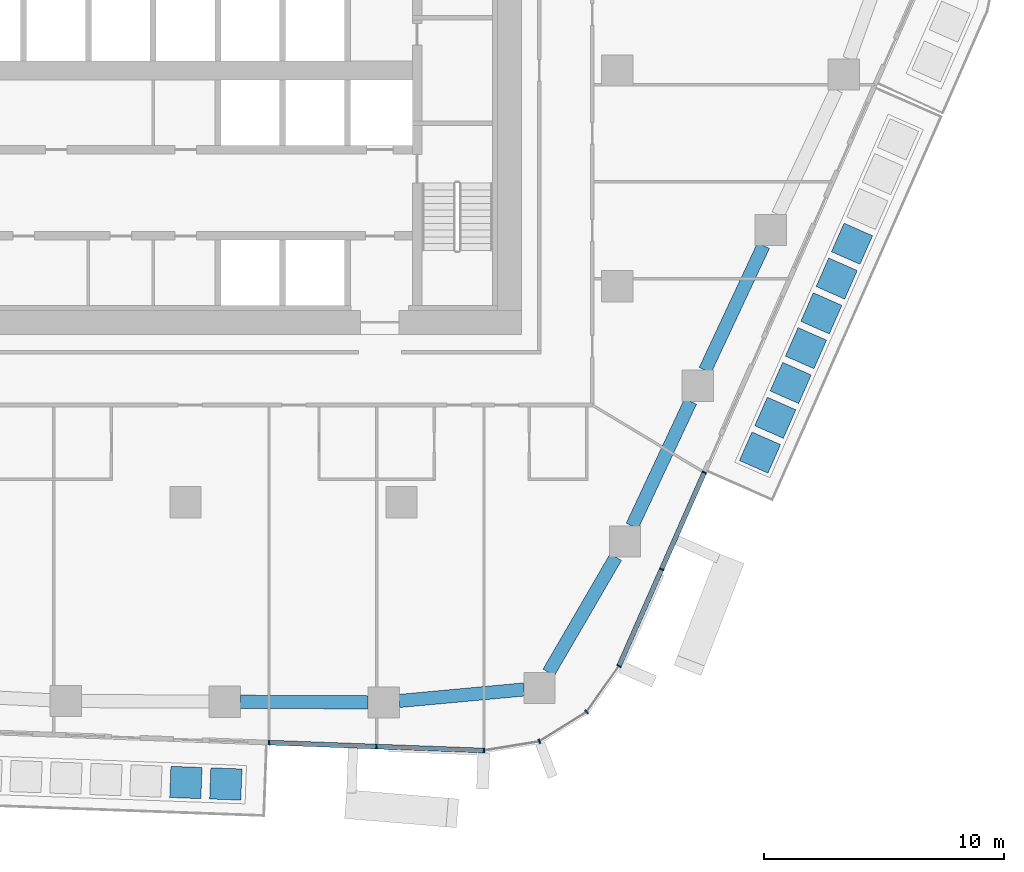
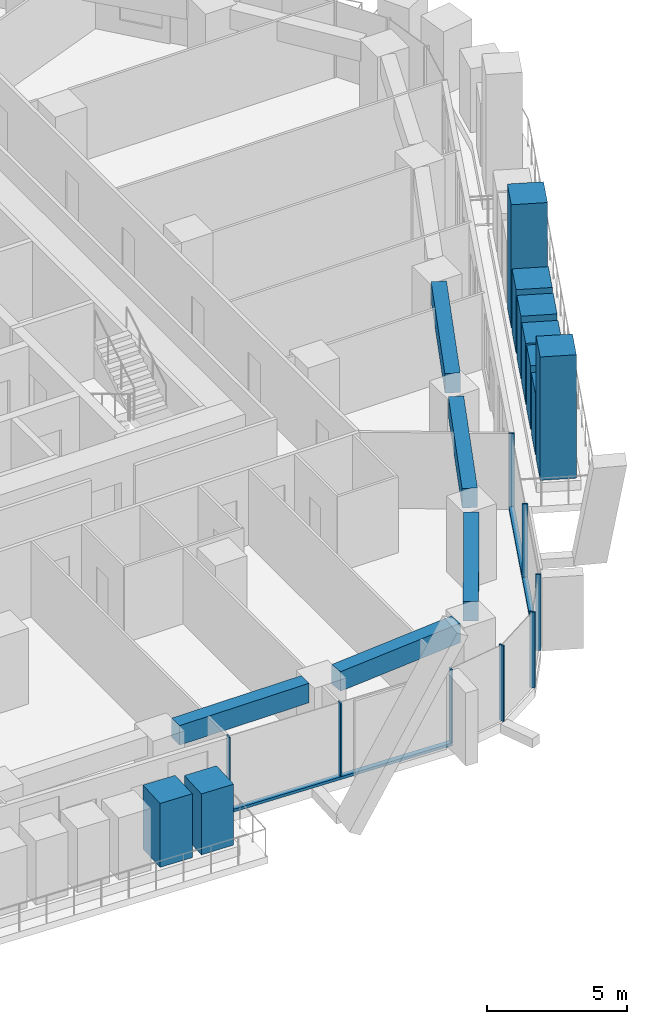
# One storey, part 4 of 24: 19 members, 5 beams, 3 elements without a shape of their own.
"""IFC4 building model written with IfcOpenShell, lengths in metres."""

from ifc_helpers import new_model, si_unit, direction, frame, origin, origin_2d, place, context, subcontext, project, spatial, rectangle, extrude, material, layer, layer_set, material_profile, profile_set, type_object, element, aggregate, save


model = new_model("IFC4")

# Units and contexts
model_context = context("Model", 3, precision=1e-05, world=origin(), true_north=direction((0.0, 1.0)))
body_context = subcontext(model_context, "Body", "Model", "MODEL_VIEW")
ifc_project = project(units=[si_unit("LENGTHUNIT", "METRE"), si_unit("AREAUNIT", "SQUARE_METRE"), si_unit("VOLUMEUNIT", "CUBIC_METRE"), si_unit("PLANEANGLEUNIT", "RADIAN"), si_unit("MASSUNIT", "GRAM", prefix="KILO")], contexts=[model_context])

# Site, building, storey
site_placement = place(None, origin())
site = spatial("IfcSite", under=ifc_project, at=site_placement, CompositionType="ELEMENT")
building_placement = place(site_placement, origin())
building = spatial("IfcBuilding", under=site, at=building_placement, Name="Dongbaek Canopy Tower", CompositionType="ELEMENT")
storey_placement = place(building_placement, frame((0.0, 0.0, 113.699951171875)))
storey = spatial("IfcBuildingStorey", under=building, at=storey_placement, Name="L24", CompositionType="ELEMENT", Elevation=113.699951171875)

# Curtain wall, members
ifc_material_1 = material(Name="Aluminium 6063-T6 pale anodised", Category="aluminium")
ifc_layer = layer(ifc_material_1, 0.199951171875)
ifc_layer_set = layer_set([ifc_layer], Name="CW-1 unitised tower curtain wall")
curtain_wall_type = type_object("IfcCurtainWallType", Name="CW-1 unitised tower curtain wall", PredefinedType="NOTDEFINED", material=ifc_layer_set)
curtain_wall_1_placement = place(storey_placement, origin())
curtain_wall_1 = element("IfcCurtainWall", 1, at=curtain_wall_1_placement, inside=storey, type_object=curtain_wall_type, Name="CW-1 curtain wall F4.1", PredefinedType="NOTDEFINED")
ifc_material_2 = material(Name="Aluminium 6063-T6 pale anodised", Category="aluminium")
ifc_material_profile_1 = material_profile(ifc_material_2, rectangle(XDim=0.199951171875, YDim=0.06005859375, at=origin_2d()), Name="CW-1 mullion 60 x 200")
ifc_profile_set_1 = profile_set([ifc_material_profile_1], Name="Aluminium 6063-T6 pale anodised")
member_type_1 = type_object("IfcMemberType", Name="CW-1 mullion 60 x 200", PredefinedType="MULLION", material=ifc_profile_set_1)
member_1_placement = place(storey_placement, frame((3.475830078125, -28.024169921875, 0.1201171875), z_axis=(0.0, 0.0, 1.0), x_axis=(-0.036872652499, -0.99931997253, 0.0)))
member_1 = element("IfcMember", 2, at=member_1_placement, type_object=member_type_1, Name="CW-1 mullion F4.1.1", PredefinedType="MULLION", context=body_context, shape_type="SweptSolid", body=[
    extrude(rectangle(XDim=0.199951171875, YDim=0.06005859375, at=origin_2d()), origin(), (0.0, 0.0, 1.0), 3.179931640625),
])
member_2_placement = place(storey_placement, frame((7.962646484375, -28.189697265625, 0.1201171875), z_axis=(0.0, 0.0, 1.0), x_axis=(-0.036872652499, -0.99931997253, 0.0)))
member_2 = element("IfcMember", 3, at=member_2_placement, type_object=member_type_1, Name="CW-1 mullion F4.1.2", PredefinedType="MULLION", context=body_context, shape_type="SweptSolid", body=[
    extrude(rectangle(XDim=0.199951171875, YDim=0.06005859375, at=origin_2d()), origin(), (0.0, 0.0, 1.0), 3.179931640625),
])
member_3_placement = place(storey_placement, frame((12.439453125, -28.354736328125, 0.1201171875), z_axis=(0.0, 0.0, 1.0), x_axis=(-0.036872652499, -0.99931997253, 0.0)))
member_3 = element("IfcMember", 4, at=member_3_placement, type_object=member_type_1, Name="CW-1 mullion F4.1.3", PredefinedType="MULLION", context=body_context, shape_type="SweptSolid", body=[
    extrude(rectangle(XDim=0.199951171875, YDim=0.06005859375, at=origin_2d()), origin(), (0.0, 0.0, 1.0), 3.179931640625),
])

curtain_wall_2_placement = place(storey_placement, origin())
curtain_wall_2 = element("IfcCurtainWall", 5, at=curtain_wall_2_placement, inside=storey, type_object=curtain_wall_type, Name="CW-1 curtain wall K5.1", PredefinedType="NOTDEFINED")
member_4_placement = place(storey_placement, frame((14.748291015625, -27.977783203125, 0.0), z_axis=(0.0, 0.0, 1.0), x_axis=(0.352875095739, -0.93567043707, 0.0)))
member_4 = element("IfcMember", 6, at=member_4_placement, type_object=member_type_1, Name="CW-1 mullion K5.1.2", PredefinedType="MULLION", context=body_context, shape_type="SweptSolid", body=[
    extrude(rectangle(XDim=0.199951171875, YDim=0.06005859375, at=origin_2d()), origin(), (0.0, 0.0, 1.0), 3.300048828125),
])
member_5_placement = place(storey_placement, frame((16.722412109375, -26.74169921875, 0.0), z_axis=(0.0, 0.0, 1.0), x_axis=(0.687590359938, -0.726098820355, 0.0)))
member_5 = element("IfcMember", 7, at=member_5_placement, type_object=member_type_1, Name="CW-1 mullion K5.1.3", PredefinedType="MULLION", context=body_context, shape_type="SweptSolid", body=[
    extrude(rectangle(XDim=0.199951171875, YDim=0.06005859375, at=origin_2d()), origin(), (0.0, 0.0, 1.0), 3.300048828125),
])
member_6_placement = place(storey_placement, frame((18.070068359375, -24.829345703125, 0.0), z_axis=(0.0, 0.0, 1.0), x_axis=(0.817425136867, -0.576034847572, 0.0)))
member_6 = element("IfcMember", 8, at=member_6_placement, type_object=member_type_1, Name="CW-1 mullion K5.1.4", PredefinedType="MULLION", context=body_context, shape_type="SweptSolid", body=[
    extrude(rectangle(XDim=0.199951171875, YDim=0.06005859375, at=origin_2d()), origin(), (0.0, 0.0, 1.0), 3.300048828125),
])
aggregate(curtain_wall_2, [member_4, member_5, member_6])

curtain_wall_3_placement = place(storey_placement, origin())
curtain_wall_3 = element("IfcCurtainWall", 9, at=curtain_wall_3_placement, inside=storey, type_object=curtain_wall_type, Name="CW-1 curtain wall F5.1", PredefinedType="NOTDEFINED")
member_7_placement = place(storey_placement, frame((19.84619140625, -20.799072265625, 0.1201171875), z_axis=(0.0, 0.0, 1.0), x_axis=(0.915072764797, -0.403288773867, 0.0)))
member_7 = element("IfcMember", 10, at=member_7_placement, type_object=member_type_1, Name="CW-1 mullion F5.1.2", PredefinedType="MULLION", context=body_context, shape_type="SweptSolid", body=[
    extrude(rectangle(XDim=0.199951171875, YDim=0.06005859375, at=origin_2d()), origin(), (0.0, 0.0, 1.0), 3.179931640625),
])
member_8_placement = place(storey_placement, frame((21.62646484375, -16.759765625, 0.1201171875), z_axis=(0.0, 0.0, 1.0), x_axis=(0.915072764797, -0.403288773867, 0.0)))
member_8 = element("IfcMember", 11, at=member_8_placement, type_object=member_type_1, Name="CW-1 mullion F5.1.3", PredefinedType="MULLION", context=body_context, shape_type="SweptSolid", body=[
    extrude(rectangle(XDim=0.199951171875, YDim=0.06005859375, at=origin_2d()), origin(), (0.0, 0.0, 1.0), 3.179931640625),
])

# Member
ifc_material_3 = material(Name="Aluminium 6063-T6 pale anodised", Category="aluminium")
ifc_material_profile_2 = material_profile(ifc_material_3, rectangle(XDim=0.199951171875, YDim=0.1201171875, at=origin_2d()), Name="CW-1 transom 120 x 200")
ifc_profile_set_2 = profile_set([ifc_material_profile_2], Name="Aluminium 6063-T6 pale anodised")
member_type_2 = type_object("IfcMemberType", Name="CW-1 transom 120 x 200", PredefinedType="USERDEFINED", material=ifc_profile_set_2)
member_9_placement = place(storey_placement, frame((3.475830078125, -28.024169921875, 0.06005859375), z_axis=(0.999320675071, -0.036853607355, 0.0), x_axis=(0.036853607355, 0.999320675071, 0.0)))
member_9 = element("IfcMember", 12, at=member_9_placement, type_object=member_type_2, Name="CW-1 transom F4.1.1", ObjectType="TRANSOM", PredefinedType="USERDEFINED", context=body_context, shape_type="SweptSolid", body=[
    extrude(rectangle(XDim=0.199951171875, YDim=0.1201171875, at=origin_2d()), origin(), (0.0, 0.0, 1.0), 8.9697265625),
])

aggregate(curtain_wall_1, [member_1, member_2, member_3, member_9])

member_10_placement = place(storey_placement, frame((18.070068359375, -24.829345703125, 0.06005859375), z_axis=(0.403287788943, 0.91507319887, 0.0), x_axis=(-0.91507319887, 0.403287788943, 0.0)))
member_10 = element("IfcMember", 13, at=member_10_placement, type_object=member_type_2, Name="CW-1 transom F5.1.1", ObjectType="TRANSOM", PredefinedType="USERDEFINED", context=body_context, shape_type="SweptSolid", body=[
    extrude(rectangle(XDim=0.199951171875, YDim=0.1201171875, at=origin_2d()), origin(), (0.0, 0.0, 1.0), 8.818603515625),
])

aggregate(curtain_wall_3, [member_7, member_8, member_10])

# Beams
ifc_material_4 = material(Name="Concrete C80", Category="concrete")
ifc_material_profile_3 = material_profile(ifc_material_4, rectangle(XDim=0.550048828125, YDim=0.85009765625, at=origin_2d()), Name="RC EDGE BEAM 550x850 C80")
ifc_profile_set_3 = profile_set([ifc_material_profile_3], Name="Concrete C80")
beam_type = type_object("IfcBeamType", Name="RC EDGE BEAM 550x850 C80", PredefinedType="BEAM", material=ifc_profile_set_3)
beam_1_placement = place(storey_placement, frame((14.110107421875, -25.80908203125, 2.875), z_axis=(-0.995770494827, -0.091875576911, 0.0), x_axis=(0.091875576911, -0.995770494827, 0.0)))
element("IfcBeam", 14, at=beam_1_placement, inside=storey, type_object=beam_type, Name="EDGEBEAM:L24:00", PredefinedType="BEAM", context=body_context, shape_type="SweptSolid", body=[
    extrude(rectangle(XDim=0.550048828125, YDim=0.85009765625, at=origin_2d()), origin(), (0.0, 0.0, 1.0), 5.224365234375),
])
beam_2_placement = place(storey_placement, frame((7.60791015625, -26.34619140625, 2.875), z_axis=(-0.999989714022, 0.004535620181, 0.0), x_axis=(-0.004535620181, -0.999989714022, 0.0)))
element("IfcBeam", 15, at=beam_2_placement, inside=storey, type_object=beam_type, Name="EDGEBEAM:L24:01", PredefinedType="BEAM", context=body_context, shape_type="SweptSolid", body=[
    extrude(rectangle(XDim=0.550048828125, YDim=0.85009765625, at=origin_2d()), origin(), (0.0, 0.0, 1.0), 5.328857421875),
])
beam_3_placement = place(storey_placement, frame((24.091796875, -7.306884765625, 2.875), z_axis=(-0.424022586017, -0.905651614335, 0.0), x_axis=(0.905651614335, -0.424022586017, 0.0)))
element("IfcBeam", 16, at=beam_3_placement, inside=storey, type_object=beam_type, Name="EDGEBEAM:L24:23", PredefinedType="BEAM", context=body_context, shape_type="SweptSolid", body=[
    extrude(rectangle(XDim=0.550048828125, YDim=0.85009765625, at=origin_2d()), origin(), (0.0, 0.0, 1.0), 5.734130859375),
])
beam_4_placement = place(storey_placement, frame((21.051513671875, -13.800048828125, 2.875), z_axis=(-0.424209119096, -0.905564256845, 0.0), x_axis=(0.905564256845, -0.424209119096, 0.0)))
element("IfcBeam", 17, at=beam_4_placement, inside=storey, type_object=beam_type, Name="EDGEBEAM:L24:24", PredefinedType="BEAM", context=body_context, shape_type="SweptSolid", body=[
    extrude(rectangle(XDim=0.550048828125, YDim=0.85009765625, at=origin_2d()), origin(), (0.0, 0.0, 1.0), 5.7333984375),
])
beam_5_placement = place(storey_placement, frame((17.9365234375, -20.2919921875, 2.875), z_axis=(-0.503057531083, -0.864252926186, 0.0), x_axis=(0.864252926186, -0.503057531083, 0.0)))
element("IfcBeam", 18, at=beam_5_placement, inside=storey, type_object=beam_type, Name="EDGEBEAM:L24:25", PredefinedType="BEAM", context=body_context, shape_type="SweptSolid", body=[
    extrude(rectangle(XDim=0.550048828125, YDim=0.85009765625, at=origin_2d()), origin(), (0.0, 0.0, 1.0), 5.562255859375),
])

# Members
ifc_material_5 = material(Name="Concrete C40/50 planter mass with planting", Category="concrete")
ifc_material_profile_4 = material_profile(ifc_material_5, rectangle(XDim=1.300048828125, YDim=1.300048828125, at=origin_2d()), Name="Terrace PLANTER shrub mass 1300 x 1300")
ifc_profile_set_4 = profile_set([ifc_material_profile_4], Name="Concrete C40/50 planter mass with planting")
member_type_3 = type_object("IfcMemberType", Name="Terrace PLANTER shrub mass 1300 x 1300", PredefinedType="USERDEFINED", material=ifc_profile_set_4)
member_11_placement = place(storey_placement, frame((0.01171875, -29.6875, 0.420166015625), z_axis=(0.0, 0.0, 1.0), x_axis=(-0.036872652499, -0.99931997253, 0.0)))
element("IfcMember", 19, at=member_11_placement, inside=storey, type_object=member_type_3, Name="Planter shrubs L24 4.6", ObjectType="PLANTER", PredefinedType="USERDEFINED", context=body_context, shape_type="SweptSolid", body=[
    extrude(rectangle(XDim=1.300048828125, YDim=1.300048828125, at=origin_2d()), origin(), (0.0, 0.0, 1.0), 2.77978515625),
])
member_12_placement = place(storey_placement, frame((1.677490234375, -29.7490234375, 0.420166015625), z_axis=(0.0, 0.0, 1.0), x_axis=(-0.036872652499, -0.99931997253, 0.0)))
element("IfcMember", 20, at=member_12_placement, inside=storey, type_object=member_type_3, Name="Planter shrubs L24 4.7", ObjectType="PLANTER", PredefinedType="USERDEFINED", context=body_context, shape_type="SweptSolid", body=[
    extrude(rectangle(XDim=1.300048828125, YDim=1.300048828125, at=origin_2d()), origin(), (0.0, 0.0, 1.0), 2.64990234375),
])
member_13_placement = place(storey_placement, frame((23.947265625, -15.932373046875, 0.420166015625), z_axis=(0.0, 0.0, 1.0), x_axis=(0.915072764797, -0.403288773867, 0.0)))
element("IfcMember", 21, at=member_13_placement, inside=storey, type_object=member_type_3, Name="Planter tree L24 5.1", ObjectType="PLANTER", PredefinedType="USERDEFINED", context=body_context, shape_type="SweptSolid", body=[
    extrude(rectangle(XDim=1.300048828125, YDim=1.300048828125, at=origin_2d()), origin(), (0.0, 0.0, 1.0), 5.369873046875),
])
member_14_placement = place(storey_placement, frame((24.586669921875, -14.4814453125, 0.420166015625), z_axis=(0.0, 0.0, 1.0), x_axis=(0.915072764797, -0.403288773867, 0.0)))
element("IfcMember", 22, at=member_14_placement, inside=storey, type_object=member_type_3, Name="Planter shrubs L24 5.2", ObjectType="PLANTER", PredefinedType="USERDEFINED", context=body_context, shape_type="SweptSolid", body=[
    extrude(rectangle(XDim=1.300048828125, YDim=1.300048828125, at=origin_2d()), origin(), (0.0, 0.0, 1.0), 2.68994140625),
])
member_15_placement = place(storey_placement, frame((25.226318359375, -13.0302734375, 0.420166015625), z_axis=(0.0, 0.0, 1.0), x_axis=(0.915072764797, -0.403288773867, 0.0)))
element("IfcMember", 23, at=member_15_placement, inside=storey, type_object=member_type_3, Name="Planter shrubs L24 5.3", ObjectType="PLANTER", PredefinedType="USERDEFINED", context=body_context, shape_type="SweptSolid", body=[
    extrude(rectangle(XDim=1.300048828125, YDim=1.300048828125, at=origin_2d()), origin(), (0.0, 0.0, 1.0), 2.77978515625),
])
member_16_placement = place(storey_placement, frame((25.86572265625, -11.579345703125, 0.420166015625), z_axis=(0.0, 0.0, 1.0), x_axis=(0.915072764797, -0.403288773867, 0.0)))
element("IfcMember", 24, at=member_16_placement, inside=storey, type_object=member_type_3, Name="Planter shrubs L24 5.4", ObjectType="PLANTER", PredefinedType="USERDEFINED", context=body_context, shape_type="SweptSolid", body=[
    extrude(rectangle(XDim=1.300048828125, YDim=1.300048828125, at=origin_2d()), origin(), (0.0, 0.0, 1.0), 2.64990234375),
])
member_17_placement = place(storey_placement, frame((26.505126953125, -10.128173828125, 0.420166015625), z_axis=(0.0, 0.0, 1.0), x_axis=(0.915072764797, -0.403288773867, 0.0)))
element("IfcMember", 25, at=member_17_placement, inside=storey, type_object=member_type_3, Name="Planter shrubs L24 5.5", ObjectType="PLANTER", PredefinedType="USERDEFINED", context=body_context, shape_type="SweptSolid", body=[
    extrude(rectangle(XDim=1.300048828125, YDim=1.300048828125, at=origin_2d()), origin(), (0.0, 0.0, 1.0), 2.72998046875),
])
member_18_placement = place(storey_placement, frame((27.144775390625, -8.67724609375, 0.420166015625), z_axis=(0.0, 0.0, 1.0), x_axis=(0.915072764797, -0.403288773867, 0.0)))
element("IfcMember", 26, at=member_18_placement, inside=storey, type_object=member_type_3, Name="Planter shrubs L24 5.6", ObjectType="PLANTER", PredefinedType="USERDEFINED", context=body_context, shape_type="SweptSolid", body=[
    extrude(rectangle(XDim=1.300048828125, YDim=1.300048828125, at=origin_2d()), origin(), (0.0, 0.0, 1.0), 2.77978515625),
])
member_19_placement = place(storey_placement, frame((27.7841796875, -7.22607421875, 0.420166015625), z_axis=(0.0, 0.0, 1.0), x_axis=(0.915072764797, -0.403288773867, 0.0)))
element("IfcMember", 27, at=member_19_placement, inside=storey, type_object=member_type_3, Name="Planter tree L24 5.7", ObjectType="PLANTER", PredefinedType="USERDEFINED", context=body_context, shape_type="SweptSolid", body=[
    extrude(rectangle(XDim=1.300048828125, YDim=1.300048828125, at=origin_2d()), origin(), (0.0, 0.0, 1.0), 5.369873046875),
])

save(model, "model.ifc")
